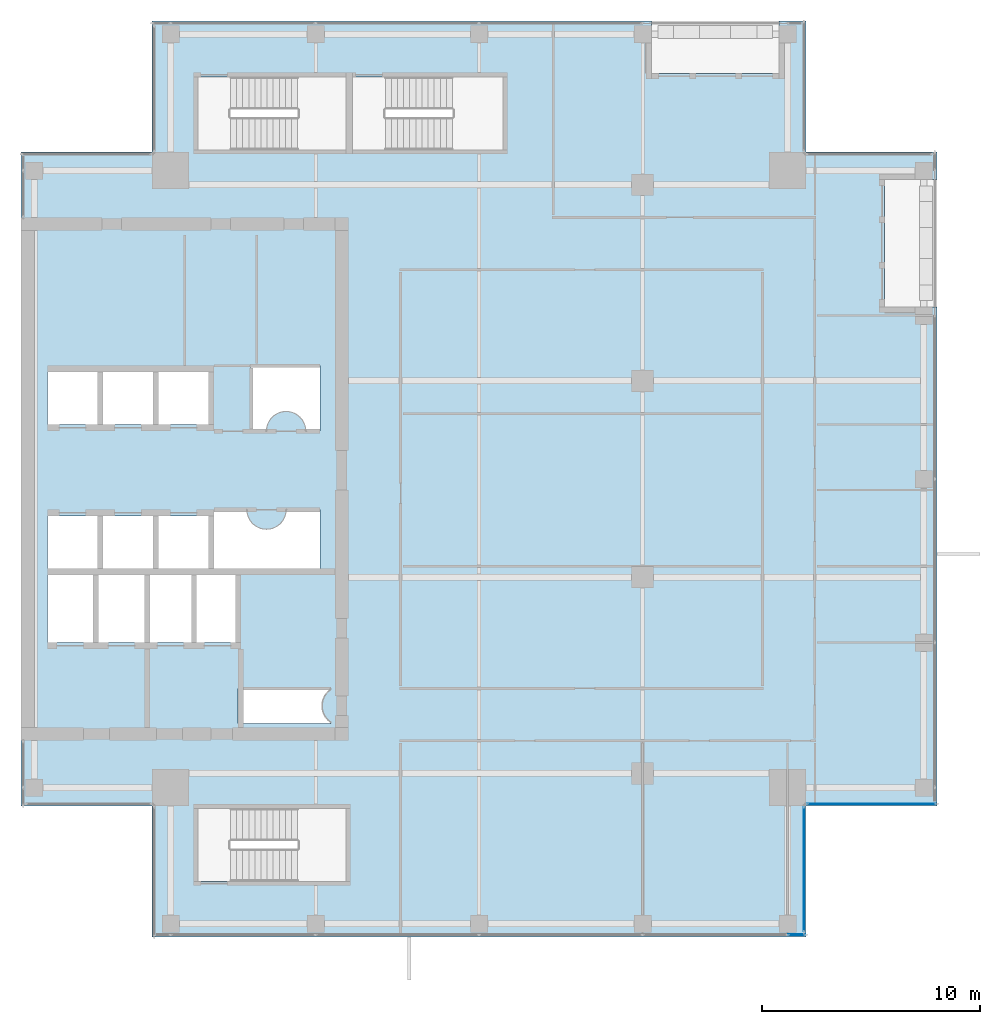
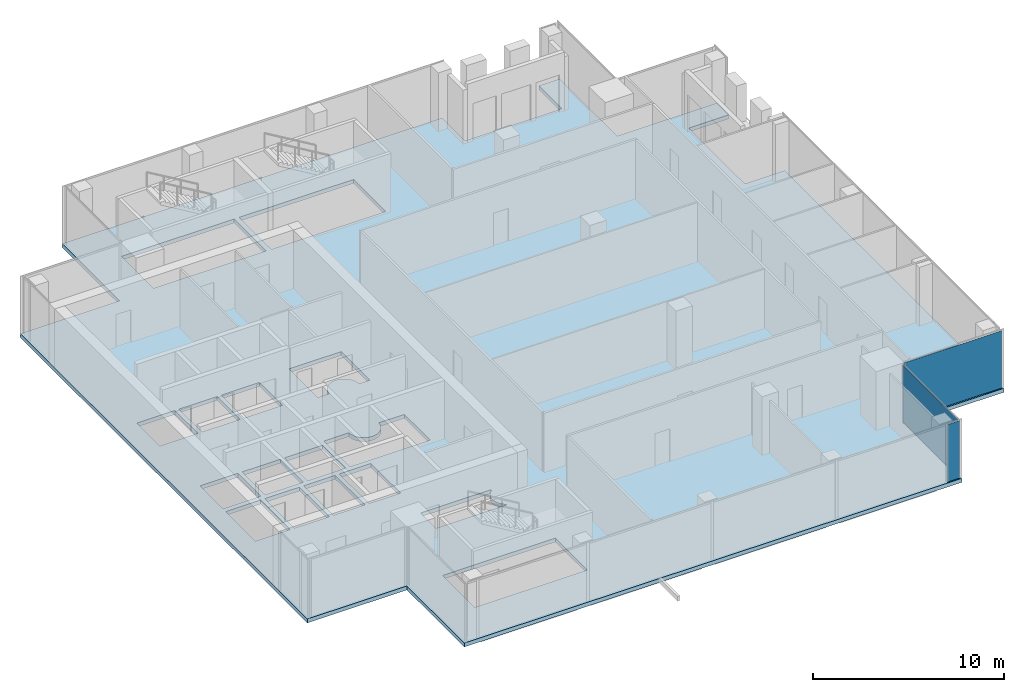
# One storey, part 19 of 28: 3 plates, 1 slab, 3 elements without a shape of their own.
"""IFC4 building model written with IfcOpenShell, lengths in metres."""

from ifc_helpers import new_model, si_unit, direction, frame, origin, origin_2d, place, context, subcontext, project, spatial, polyline, rectangle, outline, extrude, source, transform, mapped, material, layer, layer_set, type_object, element, aggregate, save


model = new_model("IFC4")

# Units and contexts
model_context = context("Model", 3, precision=1e-05, world=origin(), true_north=direction((0.0, 1.0)))
body_context = subcontext(model_context, "Body", "Model", "MODEL_VIEW")
ifc_project = project(units=[si_unit("LENGTHUNIT", "METRE"), si_unit("AREAUNIT", "SQUARE_METRE"), si_unit("VOLUMEUNIT", "CUBIC_METRE"), si_unit("PLANEANGLEUNIT", "RADIAN"), si_unit("MASSUNIT", "GRAM", prefix="KILO")], contexts=[model_context])

# Site, building, storey
site_placement = place(None, origin())
site = spatial("IfcSite", under=ifc_project, at=site_placement, CompositionType="ELEMENT")
building_placement = place(site_placement, origin())
building = spatial("IfcBuilding", under=site, at=building_placement, Name="Khomas Fold Tower", CompositionType="ELEMENT")
storey_placement = place(building_placement, frame((0.0, 0.0, 302.199951171875)))
storey = spatial("IfcBuildingStorey", under=building, at=storey_placement, Name="L68", CompositionType="ELEMENT", Elevation=302.199951171875)

# Slab
ifc_material_1 = material(Name="Concrete C40/50", Category="concrete")
ifc_layer_1 = layer(ifc_material_1, 0.25)
ifc_layer_set_1 = layer_set([ifc_layer_1], Name="Concrete C40/50")
slab_type = type_object("IfcSlabType", Name="RC floor slab 250", PredefinedType="FLOOR", material=ifc_layer_set_1)
shared_shape_1 = source(origin(), body_context, "Body", "SweptSolid", [
    extrude(outline(polyline([(6.0, 12.0), (12.0, 12.0), (12.0, 6.0), (42.0, 6.0), (42.0, 12.0), (48.0, 12.0), (48.0, 34.89990234375), (45.60009765625, 34.89990234375), (45.60009765625, 40.75), (48.0, 40.75), (48.0, 42.0), (42.0, 42.0), (42.0, 48.0), (40.75, 48.0), (40.75, 45.60009765625), (34.89990234375, 45.60009765625), (34.89990234375, 48.0), (12.0, 48.0), (12.0, 42.0), (6.0, 42.0), (6.0, 12.0)]), holes=[polyline([(7.199951171875, 19.5), (7.199951171875, 22.60009765625), (9.300048828125, 22.60009765625), (9.300048828125, 19.5), (7.199951171875, 19.5)]), polyline([(7.199951171875, 22.89990234375), (7.199951171875, 25.300048828125), (9.5, 25.300048828125), (9.5, 22.89990234375), (7.199951171875, 22.89990234375)]), polyline([(7.199951171875, 29.5), (7.199951171875, 31.89990234375), (9.5, 31.89990234375), (9.5, 29.5), (7.199951171875, 29.5)]), polyline([(9.550048828125, 19.5), (9.550048828125, 22.60009765625), (11.64990234375, 22.60009765625), (11.64990234375, 19.5), (9.550048828125, 19.5)]), polyline([(9.75, 22.89990234375), (9.75, 25.300048828125), (12.050048828125, 25.300048828125), (12.050048828125, 22.89990234375), (9.75, 22.89990234375)]), polyline([(9.75, 29.5), (9.75, 31.89990234375), (12.050048828125, 31.89990234375), (12.050048828125, 29.5), (9.75, 29.5)]), polyline([(11.89990234375, 19.5), (11.89990234375, 22.60009765625), (13.800048828125, 22.60009765625), (13.800048828125, 19.5), (11.89990234375, 19.5)]), polyline([(12.300048828125, 22.89990234375), (12.300048828125, 25.300048828125), (14.60009765625, 25.300048828125), (14.60009765625, 22.89990234375), (12.300048828125, 22.89990234375)]), polyline([(12.300048828125, 29.5), (12.300048828125, 31.89990234375), (14.60009765625, 31.89990234375), (14.60009765625, 29.5), (12.300048828125, 29.5)]), polyline([(14.050048828125, 19.5), (14.050048828125, 22.60009765625), (15.949951171875, 22.60009765625), (15.949951171875, 19.5), (14.050048828125, 19.5)]), polyline([(14.10009765625, 8.550048828125), (14.10009765625, 11.89990234375), (20.89990234375, 11.89990234375), (20.89990234375, 8.550048828125), (14.10009765625, 8.550048828125)]), polyline([(14.10009765625, 42.10009765625), (14.10009765625, 45.449951171875), (20.89990234375, 45.449951171875), (20.89990234375, 42.10009765625), (14.10009765625, 42.10009765625)]), polyline([(14.85009765625, 22.89990234375), (14.85009765625, 25.60009765625), (16.35009765625, 25.60009765625), (16.354248046875, 25.51171875), (16.3671875, 25.42431640625), (16.388916015625, 25.338623046875), (16.41845703125, 25.255615234375), (16.456298828125, 25.17578125), (16.501708984375, 25.10009765625), (16.55419921875, 25.029052734375), (16.613525390625, 24.963623046875), (16.678955078125, 24.904296875), (16.75, 24.851806640625), (16.82568359375, 24.806396484375), (16.905517578125, 24.7685546875), (16.98876953125, 24.73876953125), (17.074462890625, 24.71728515625), (17.161865234375, 24.704345703125), (17.25, 24.699951171875), (17.338134765625, 24.704345703125), (17.425537109375, 24.71728515625), (17.51123046875, 24.73876953125), (17.594482421875, 24.7685546875), (17.67431640625, 24.806396484375), (17.75, 24.851806640625), (17.821044921875, 24.904296875), (17.886474609375, 24.963623046875), (17.94580078125, 25.029052734375), (17.998291015625, 25.10009765625), (18.043701171875, 25.17578125), (18.08154296875, 25.255615234375), (18.111083984375, 25.338623046875), (18.1328125, 25.42431640625), (18.145751953125, 25.51171875), (18.14990234375, 25.60009765625), (19.699951171875, 25.60009765625), (19.699951171875, 22.89990234375), (14.85009765625, 22.89990234375)]), polyline([(15.949951171875, 15.800048828125), (15.949951171875, 17.39990234375), (20.199951171875, 17.39990234375), (20.199951171875, 17.348388671875), (20.199951171875, 17.348388671875), (20.12890625, 17.295654296875), (20.063720703125, 17.236328125), (20.00439453125, 17.1708984375), (19.95166015625, 17.10009765625), (19.90625, 17.0244140625), (19.868408203125, 16.9443359375), (19.8388671875, 16.861328125), (19.8173828125, 16.775634765625), (19.80419921875, 16.688232421875), (19.800048828125, 16.60009765625), (19.80419921875, 16.51171875), (19.8173828125, 16.42431640625), (19.8388671875, 16.338623046875), (19.868408203125, 16.255615234375), (19.90625, 16.17578125), (19.95166015625, 16.10009765625), (20.00439453125, 16.029052734375), (20.063720703125, 15.963623046875), (20.12890625, 15.904296875), (20.199951171875, 15.851806640625), (20.199951171875, 15.851806640625), (20.199951171875, 15.800048828125), (15.949951171875, 15.800048828125)]), polyline([(16.550048828125, 29.199951171875), (16.550048828125, 32.199951171875), (19.699951171875, 32.199951171875), (19.699951171875, 29.199951171875), (19.050048828125, 29.199951171875), (19.045654296875, 29.2880859375), (19.03271484375, 29.37548828125), (19.01123046875, 29.461181640625), (18.9814453125, 29.54443359375), (18.943603515625, 29.624267578125), (18.898193359375, 29.699951171875), (18.845703125, 29.77099609375), (18.786376953125, 29.83642578125), (18.720947265625, 29.895751953125), (18.64990234375, 29.9482421875), (18.57421875, 29.99365234375), (18.494384765625, 30.031494140625), (18.411376953125, 30.061279296875), (18.32568359375, 30.082763671875), (18.23828125, 30.095703125), (18.14990234375, 30.10009765625), (18.061767578125, 30.095703125), (17.974365234375, 30.082763671875), (17.888671875, 30.061279296875), (17.8056640625, 30.031494140625), (17.7255859375, 29.99365234375), (17.64990234375, 29.9482421875), (17.5791015625, 29.895751953125), (17.513671875, 29.83642578125), (17.454345703125, 29.77099609375), (17.401611328125, 29.699951171875), (17.356201171875, 29.624267578125), (17.318603515625, 29.54443359375), (17.288818359375, 29.461181640625), (17.267333984375, 29.37548828125), (17.25439453125, 29.2880859375), (17.25, 29.199951171875), (16.550048828125, 29.199951171875)]), polyline([(21.199951171875, 42.10009765625), (21.199951171875, 45.449951171875), (28.10009765625, 45.449951171875), (28.10009765625, 42.10009765625), (21.199951171875, 42.10009765625)])]), origin(), (0.0, 0.0, 1.0), 0.25),
])
slab_placement = place(storey_placement, frame((0.0, 0.0, -0.25)))
element("IfcSlab", 1, at=slab_placement, inside=storey, type_object=slab_type, Name="S-L68", PredefinedType="FLOOR", context=body_context, shape_type="MappedRepresentation", body=[
    mapped(shared_shape_1, transform((0.0, 0.0, 0.0))),
])

# Curtain wall, plate
ifc_material_2 = material(Name="Aluminium framed double glazing", Category="aluminium")
curtain_wall_type = type_object("IfcCurtainWallType", Name="SK-Unitised clear-glass wall, upper floors CW3", PredefinedType="NOTDEFINED", material=ifc_material_2)
curtain_wall_1_placement = place(storey_placement, origin())
curtain_wall_1 = element("IfcCurtainWall", 2, at=curtain_wall_1_placement, inside=storey, type_object=curtain_wall_type, Name="CW3 run L68 00-0", PredefinedType="NOTDEFINED")
ifc_material_3 = material(Name="Clear double glazed unit")
ifc_layer_2 = layer(ifc_material_3, 0.028076171875)
ifc_layer_set_2 = layer_set([ifc_layer_2], Name="Clear double glazed unit")
plate_type = type_object("IfcPlateType", Name="SK-Unitised clear-glass wall, upper floors glass panel CW3-P", PredefinedType="CURTAIN_PANEL", material=ifc_layer_set_2)
shared_shape_2 = source(origin(), body_context, "Body", "SweptSolid", [
    extrude(rectangle(XDim=0.77490234375, YDim=0.028076171875, at=origin_2d()), origin(), (0.0, 0.0, 1.0), 3.64990234375),
])
plate_1_placement = place(storey_placement, frame((41.5625, 6.10009765625, 0.0), z_axis=(0.0, 0.0, 1.0), x_axis=(1.0, 0.0, 0.0)))
plate_1 = element("IfcPlate", 3, at=plate_1_placement, type_object=plate_type, Name="CW3 glass panel 6", PredefinedType="CURTAIN_PANEL", context=body_context, shape_type="MappedRepresentation", body=[
    mapped(shared_shape_2, transform((0.0, 0.0, 0.0))),
])
aggregate(curtain_wall_1, [plate_1])

curtain_wall_2_placement = place(storey_placement, origin())
curtain_wall_2 = element("IfcCurtainWall", 4, at=curtain_wall_2_placement, inside=storey, type_object=curtain_wall_type, Name="CW3 corner return L68 01", PredefinedType="NOTDEFINED")
shared_shape_3 = source(origin(), body_context, "Body", "SweptSolid", [
    extrude(rectangle(XDim=5.699951171875, YDim=0.028076171875, at=origin_2d()), origin(), (0.0, 0.0, 1.0), 3.64990234375),
])
plate_2_placement = place(storey_placement, frame((41.89990234375, 9.10009765625, 0.0), z_axis=(0.0, 0.0, 1.0), x_axis=(0.0, 1.0, 0.0)))
plate_2 = element("IfcPlate", 5, at=plate_2_placement, type_object=plate_type, Name="CW3 glass panel 1", PredefinedType="CURTAIN_PANEL", context=body_context, shape_type="MappedRepresentation", body=[
    mapped(shared_shape_3, transform((0.0, 0.0, 0.0))),
])
aggregate(curtain_wall_2, [plate_2])

curtain_wall_3_placement = place(storey_placement, origin())
curtain_wall_3 = element("IfcCurtainWall", 6, at=curtain_wall_3_placement, inside=storey, type_object=curtain_wall_type, Name="CW3 corner return L68 02", PredefinedType="NOTDEFINED")
shared_shape_4 = source(origin(), body_context, "Body", "SweptSolid", [
    extrude(rectangle(XDim=5.89990234375, YDim=0.028076171875, at=origin_2d()), origin(), (0.0, 0.0, 1.0), 3.64990234375),
])
plate_3_placement = place(storey_placement, frame((45.0, 12.10009765625, 0.0), z_axis=(0.0, 0.0, 1.0), x_axis=(1.0, 0.0, 0.0)))
plate_3 = element("IfcPlate", 7, at=plate_3_placement, type_object=plate_type, Name="CW3 glass panel 1", PredefinedType="CURTAIN_PANEL", context=body_context, shape_type="MappedRepresentation", body=[
    mapped(shared_shape_4, transform((0.0, 0.0, 0.0))),
])
aggregate(curtain_wall_3, [plate_3])

save(model, "model.ifc")
